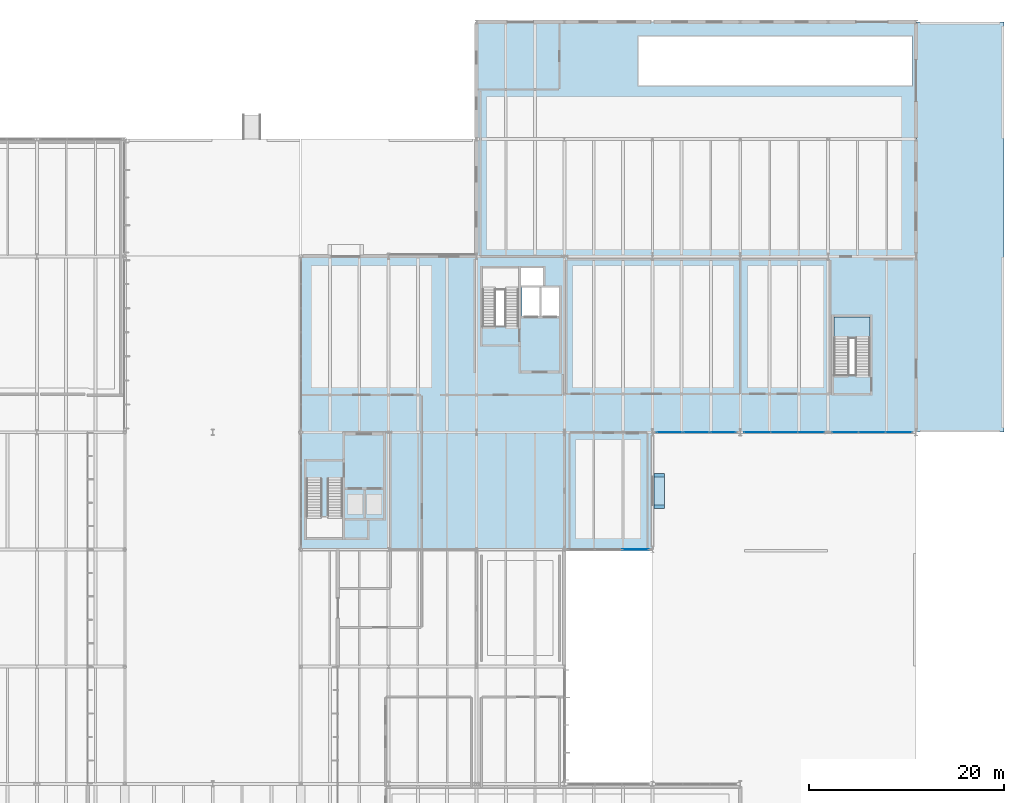
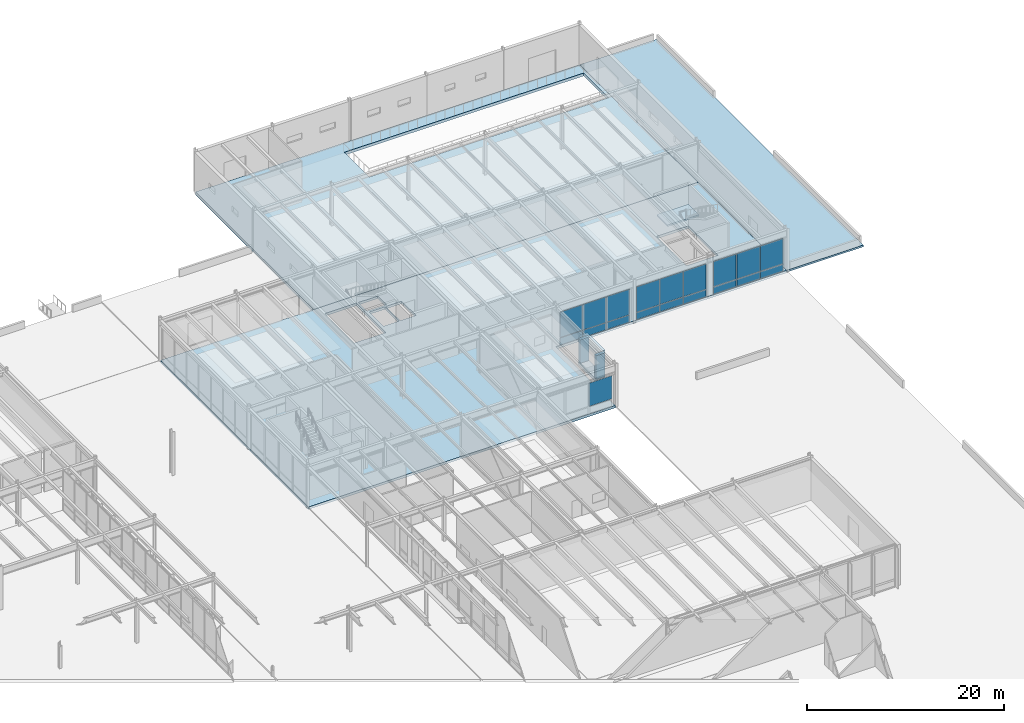
# One storey, part 110 of 143: 23 plates, 4 slabs, 5 elements without a shape of their own.
"""IFC4 building model written with IfcOpenShell, lengths in metres."""

from ifc_helpers import new_model, si_unit, direction, frame, origin, origin_2d, place, context, subcontext, project, spatial, polyline, rectangle, outline, extrude, material, layer, layer_set, type_object, element, aggregate, save


model = new_model("IFC4")

# Units and contexts
model_context = context("Model", 3, precision=1e-05, world=origin(), true_north=direction((0.0, 1.0)))
body_context = subcontext(model_context, "Body", "Model", "MODEL_VIEW")
ifc_project = project(units=[si_unit("LENGTHUNIT", "METRE"), si_unit("AREAUNIT", "SQUARE_METRE"), si_unit("VOLUMEUNIT", "CUBIC_METRE"), si_unit("PLANEANGLEUNIT", "RADIAN"), si_unit("MASSUNIT", "GRAM", prefix="KILO")], contexts=[model_context])

# Site, building, storey
site_placement = place(None, origin())
site = spatial("IfcSite", under=ifc_project, at=site_placement, CompositionType="ELEMENT")
building_placement = place(site_placement, origin())
building = spatial("IfcBuilding", under=site, at=building_placement, Name="Montelvaro Courts of Justice", CompositionType="ELEMENT")
storey_placement = place(building_placement, origin())
storey = spatial("IfcBuildingStorey", under=building, at=storey_placement, Name="L00", CompositionType="ELEMENT", Elevation=0.0)

# Curtain wall, plate
ifc_material_1 = material(Name="Anodised aluminium EN AW-6063", Category="aluminium")
ifc_layer_1 = layer(ifc_material_1, 0.159912109375)
ifc_layer_set_1 = layer_set([ifc_layer_1], Name="Anodised aluminium EN AW-6063")
curtain_wall_type_1 = type_object("IfcCurtainWallType", Name="CurtainWall_05_837x508", PredefinedType="USERDEFINED", material=ifc_layer_set_1)
curtain_wall_1_placement = place(storey_placement, origin())
curtain_wall_1 = element("IfcCurtainWall", 1, at=curtain_wall_1_placement, inside=storey, type_object=curtain_wall_type_1, Name="Curtain Wall CW-05 (L00)", ObjectType="CURTAIN WALL", PredefinedType="USERDEFINED")
ifc_material_2 = material(Name="Low-E solar control double glazing", Category="glass")
ifc_layer_2 = layer(ifc_material_2, 0.028076171875)
ifc_layer_set_2 = layer_set([ifc_layer_2], Name="Low-E solar control double glazing")
plate_type_1 = type_object("IfcPlateType", Name="CurtainWall_Glazed_Panel_28", PredefinedType="CURTAIN_PANEL", material=ifc_layer_set_2)
plate_1_placement = place(storey_placement, frame((133.271240234375, 66.0, 0.97998046875), z_axis=(0.0, 0.0, 1.0), x_axis=(1.0, 0.0, 0.0)))
plate_1 = element("IfcPlate", 2, at=plate_1_placement, type_object=plate_type_1, Name="CW-05 panel 3.2", PredefinedType="CURTAIN_PANEL", context=body_context, shape_type="SweptSolid", body=[
    extrude(rectangle(XDim=2.677490234375, YDim=0.028076171875, at=origin_2d()), origin(), (0.0, 0.0, 1.0), 2.864990234375),
])
aggregate(curtain_wall_1, [plate_1])

# Curtain wall, plates
ifc_layer_3 = layer(ifc_material_1, 0.159912109375)
ifc_layer_set_3 = layer_set([ifc_layer_3], Name="Anodised aluminium EN AW-6063")
curtain_wall_type_2 = type_object("IfcCurtainWallType", Name="CurtainWall_01_827x508", PredefinedType="USERDEFINED", material=ifc_layer_set_3)
curtain_wall_2_placement = place(storey_placement, origin())
curtain_wall_2 = element("IfcCurtainWall", 3, at=curtain_wall_2_placement, inside=storey, type_object=curtain_wall_type_2, Name="Curtain Wall CW-01 (L00)", ObjectType="CURTAIN WALL", PredefinedType="USERDEFINED")
plate_2_placement = place(storey_placement, frame((136.761962890625, 78.0, 0.06005859375), z_axis=(0.0, 0.0, 1.0), x_axis=(1.0, 0.0, 0.0)))
plate_2 = element("IfcPlate", 4, at=plate_2_placement, type_object=plate_type_1, Name="CW-01 panel 1.1", PredefinedType="CURTAIN_PANEL", context=body_context, shape_type="SweptSolid", body=[
    extrude(rectangle(XDim=2.644287109375, YDim=0.028076171875, at=origin_2d()), origin(), (0.0, 0.0, 1.0), 0.860107421875),
])
plate_3_placement = place(storey_placement, frame((136.761962890625, 78.0, 0.97998046875), z_axis=(0.0, 0.0, 1.0), x_axis=(1.0, 0.0, 0.0)))
plate_3 = element("IfcPlate", 5, at=plate_3_placement, type_object=plate_type_1, Name="CW-01 panel 1.2", PredefinedType="CURTAIN_PANEL", context=body_context, shape_type="SweptSolid", body=[
    extrude(rectangle(XDim=2.644287109375, YDim=0.028076171875, at=origin_2d()), origin(), (0.0, 0.0, 1.0), 3.14501953125),
])
plate_4_placement = place(storey_placement, frame((139.5, 78.0, 0.06005859375), z_axis=(0.0, 0.0, 1.0), x_axis=(1.0, 0.0, 0.0)))
plate_4 = element("IfcPlate", 6, at=plate_4_placement, type_object=plate_type_1, Name="CW-01 panel 2.1", PredefinedType="CURTAIN_PANEL", context=body_context, shape_type="SweptSolid", body=[
    extrude(rectangle(XDim=2.681640625, YDim=0.028076171875, at=origin_2d()), origin(), (0.0, 0.0, 1.0), 0.860107421875),
])
plate_5_placement = place(storey_placement, frame((139.5, 78.0, 0.97998046875), z_axis=(0.0, 0.0, 1.0), x_axis=(1.0, 0.0, 0.0)))
plate_5 = element("IfcPlate", 7, at=plate_5_placement, type_object=plate_type_1, Name="CW-01 panel 2.2", PredefinedType="CURTAIN_PANEL", context=body_context, shape_type="SweptSolid", body=[
    extrude(rectangle(XDim=2.681640625, YDim=0.028076171875, at=origin_2d()), origin(), (0.0, 0.0, 1.0), 3.14501953125),
])
plate_6_placement = place(storey_placement, frame((142.238037109375, 78.0, 0.06005859375), z_axis=(0.0, 0.0, 1.0), x_axis=(1.0, 0.0, 0.0)))
plate_6 = element("IfcPlate", 8, at=plate_6_placement, type_object=plate_type_1, Name="CW-01 panel 3.1", PredefinedType="CURTAIN_PANEL", context=body_context, shape_type="SweptSolid", body=[
    extrude(rectangle(XDim=2.644287109375, YDim=0.028076171875, at=origin_2d()), origin(), (0.0, 0.0, 1.0), 0.860107421875),
])
plate_7_placement = place(storey_placement, frame((142.238037109375, 78.0, 0.97998046875), z_axis=(0.0, 0.0, 1.0), x_axis=(1.0, 0.0, 0.0)))
plate_7 = element("IfcPlate", 9, at=plate_7_placement, type_object=plate_type_1, Name="CW-01 panel 3.2", PredefinedType="CURTAIN_PANEL", context=body_context, shape_type="SweptSolid", body=[
    extrude(rectangle(XDim=2.644287109375, YDim=0.028076171875, at=origin_2d()), origin(), (0.0, 0.0, 1.0), 3.14501953125),
])
aggregate(curtain_wall_2, [plate_2, plate_3, plate_4, plate_5, plate_6, plate_7])

curtain_wall_3_placement = place(storey_placement, origin())
curtain_wall_3 = element("IfcCurtainWall", 10, at=curtain_wall_3_placement, inside=storey, type_object=curtain_wall_type_2, Name="Curtain Wall CW-01 (L00)", ObjectType="CURTAIN WALL", PredefinedType="USERDEFINED")
plate_8_placement = place(storey_placement, frame((145.75830078125, 78.0, 0.074951171875), z_axis=(0.0, 0.0, 1.0), x_axis=(1.0, 0.0, 0.0)))
plate_8 = element("IfcPlate", 11, at=plate_8_placement, type_object=plate_type_1, Name="CW-01 panel 1.1", PredefinedType="CURTAIN_PANEL", context=body_context, shape_type="SweptSolid", body=[
    extrude(rectangle(XDim=2.666748046875, YDim=0.028076171875, at=origin_2d()), origin(), (0.0, 0.0, 1.0), 0.83740234375),
])
plate_9_placement = place(storey_placement, frame((145.75830078125, 78.0, 0.987548828125), z_axis=(0.0, 0.0, 1.0), x_axis=(1.0, 0.0, 0.0)))
plate_9 = element("IfcPlate", 12, at=plate_9_placement, type_object=plate_type_1, Name="CW-01 panel 1.2", PredefinedType="CURTAIN_PANEL", context=body_context, shape_type="SweptSolid", body=[
    extrude(rectangle(XDim=2.666748046875, YDim=0.028076171875, at=origin_2d()), origin(), (0.0, 0.0, 1.0), 3.12255859375),
])
plate_10_placement = place(storey_placement, frame((148.5, 78.0, 0.074951171875), z_axis=(0.0, 0.0, 1.0), x_axis=(1.0, 0.0, 0.0)))
plate_10 = element("IfcPlate", 13, at=plate_10_placement, type_object=plate_type_1, Name="CW-01 panel 2.1", PredefinedType="CURTAIN_PANEL", context=body_context, shape_type="SweptSolid", body=[
    extrude(rectangle(XDim=2.69677734375, YDim=0.028076171875, at=origin_2d()), origin(), (0.0, 0.0, 1.0), 0.83740234375),
])
plate_11_placement = place(storey_placement, frame((148.5, 78.0, 0.987548828125), z_axis=(0.0, 0.0, 1.0), x_axis=(1.0, 0.0, 0.0)))
plate_11 = element("IfcPlate", 14, at=plate_11_placement, type_object=plate_type_1, Name="CW-01 panel 2.2", PredefinedType="CURTAIN_PANEL", context=body_context, shape_type="SweptSolid", body=[
    extrude(rectangle(XDim=2.69677734375, YDim=0.028076171875, at=origin_2d()), origin(), (0.0, 0.0, 1.0), 3.12255859375),
])
plate_12_placement = place(storey_placement, frame((151.24169921875, 78.0, 0.074951171875), z_axis=(0.0, 0.0, 1.0), x_axis=(1.0, 0.0, 0.0)))
plate_12 = element("IfcPlate", 15, at=plate_12_placement, type_object=plate_type_1, Name="CW-01 panel 3.1", PredefinedType="CURTAIN_PANEL", context=body_context, shape_type="SweptSolid", body=[
    extrude(rectangle(XDim=2.666748046875, YDim=0.028076171875, at=origin_2d()), origin(), (0.0, 0.0, 1.0), 0.83740234375),
])
plate_13_placement = place(storey_placement, frame((151.24169921875, 78.0, 0.987548828125), z_axis=(0.0, 0.0, 1.0), x_axis=(1.0, 0.0, 0.0)))
plate_13 = element("IfcPlate", 16, at=plate_13_placement, type_object=plate_type_1, Name="CW-01 panel 3.2", PredefinedType="CURTAIN_PANEL", context=body_context, shape_type="SweptSolid", body=[
    extrude(rectangle(XDim=2.666748046875, YDim=0.028076171875, at=origin_2d()), origin(), (0.0, 0.0, 1.0), 3.12255859375),
])
aggregate(curtain_wall_3, [plate_8, plate_9, plate_10, plate_11, plate_12, plate_13])

curtain_wall_4_placement = place(storey_placement, origin())
curtain_wall_4 = element("IfcCurtainWall", 17, at=curtain_wall_4_placement, inside=storey, type_object=curtain_wall_type_2, Name="Curtain Wall CW-01 (L00)", ObjectType="CURTAIN WALL", PredefinedType="USERDEFINED")
plate_14_placement = place(storey_placement, frame((154.75830078125, 78.0, 0.074951171875), z_axis=(0.0, 0.0, 1.0), x_axis=(1.0, 0.0, 0.0)))
plate_14 = element("IfcPlate", 18, at=plate_14_placement, type_object=plate_type_1, Name="CW-01 panel 1.1", PredefinedType="CURTAIN_PANEL", context=body_context, shape_type="SweptSolid", body=[
    extrude(rectangle(XDim=2.666748046875, YDim=0.028076171875, at=origin_2d()), origin(), (0.0, 0.0, 1.0), 0.83740234375),
])
plate_15_placement = place(storey_placement, frame((154.75830078125, 78.0, 0.987548828125), z_axis=(0.0, 0.0, 1.0), x_axis=(1.0, 0.0, 0.0)))
plate_15 = element("IfcPlate", 19, at=plate_15_placement, type_object=plate_type_1, Name="CW-01 panel 1.2", PredefinedType="CURTAIN_PANEL", context=body_context, shape_type="SweptSolid", body=[
    extrude(rectangle(XDim=2.666748046875, YDim=0.028076171875, at=origin_2d()), origin(), (0.0, 0.0, 1.0), 3.12255859375),
])
plate_16_placement = place(storey_placement, frame((157.5, 78.0, 0.074951171875), z_axis=(0.0, 0.0, 1.0), x_axis=(1.0, 0.0, 0.0)))
plate_16 = element("IfcPlate", 20, at=plate_16_placement, type_object=plate_type_1, Name="CW-01 panel 2.1", PredefinedType="CURTAIN_PANEL", context=body_context, shape_type="SweptSolid", body=[
    extrude(rectangle(XDim=2.69677734375, YDim=0.028076171875, at=origin_2d()), origin(), (0.0, 0.0, 1.0), 0.83740234375),
])
plate_17_placement = place(storey_placement, frame((157.5, 78.0, 0.987548828125), z_axis=(0.0, 0.0, 1.0), x_axis=(1.0, 0.0, 0.0)))
plate_17 = element("IfcPlate", 21, at=plate_17_placement, type_object=plate_type_1, Name="CW-01 panel 2.2", PredefinedType="CURTAIN_PANEL", context=body_context, shape_type="SweptSolid", body=[
    extrude(rectangle(XDim=2.69677734375, YDim=0.028076171875, at=origin_2d()), origin(), (0.0, 0.0, 1.0), 3.12255859375),
])
plate_18_placement = place(storey_placement, frame((160.24169921875, 78.0, 0.074951171875), z_axis=(0.0, 0.0, 1.0), x_axis=(1.0, 0.0, 0.0)))
plate_18 = element("IfcPlate", 22, at=plate_18_placement, type_object=plate_type_1, Name="CW-01 panel 3.1", PredefinedType="CURTAIN_PANEL", context=body_context, shape_type="SweptSolid", body=[
    extrude(rectangle(XDim=2.666748046875, YDim=0.028076171875, at=origin_2d()), origin(), (0.0, 0.0, 1.0), 0.83740234375),
])
plate_19_placement = place(storey_placement, frame((160.24169921875, 78.0, 0.987548828125), z_axis=(0.0, 0.0, 1.0), x_axis=(1.0, 0.0, 0.0)))
plate_19 = element("IfcPlate", 23, at=plate_19_placement, type_object=plate_type_1, Name="CW-01 panel 3.2", PredefinedType="CURTAIN_PANEL", context=body_context, shape_type="SweptSolid", body=[
    extrude(rectangle(XDim=2.666748046875, YDim=0.028076171875, at=origin_2d()), origin(), (0.0, 0.0, 1.0), 3.12255859375),
])
aggregate(curtain_wall_4, [plate_14, plate_15, plate_16, plate_17, plate_18, plate_19])

# Slabs
ifc_material_3 = material(Name="Concrete C35/45", Category="concrete")
ifc_layer_4 = layer(ifc_material_3, 0.300048828125)
ifc_layer_set_4 = layer_set([ifc_layer_4], Name="Concrete C35/45")
slab_type_1 = type_object("IfcSlabType", Name="FloorSlab_300", PredefinedType="FLOOR", material=ifc_layer_set_4)
slab_1_placement = place(storey_placement, frame((0.0, 0.0, -0.300048828125)))
element("IfcSlab", 24, at=slab_1_placement, inside=storey, type_object=slab_type_1, Name="Structural Slab SF-02 L00", PredefinedType="FLOOR", context=body_context, shape_type="SweptSolid", body=[
    extrude(outline(polyline([(99.050048828125, 66.0), (135.0, 66.0), (135.0, 78.0), (162.0, 78.0), (162.0, 96.0), (99.050048828125, 96.0), (99.050048828125, 66.0)]), holes=[polyline([(117.60009765625, 88.800048828125), (121.300048828125, 88.800048828125), (121.300048828125, 94.800048828125), (117.60009765625, 94.800048828125), (117.60009765625, 88.800048828125)]), polyline([(121.5400390625, 93.0400390625), (123.800048828125, 93.0400390625), (123.800048828125, 94.800048828125), (121.5400390625, 94.800048828125), (121.5400390625, 93.0400390625)]), polyline([(121.64990234375, 89.89990234375), (123.5, 89.89990234375), (123.5, 92.800048828125), (121.64990234375, 92.800048828125), (121.64990234375, 89.89990234375)]), polyline([(123.60009765625, 89.89990234375), (125.449951171875, 89.89990234375), (125.449951171875, 92.800048828125), (123.60009765625, 92.800048828125), (123.60009765625, 89.89990234375)]), polyline([(153.60009765625, 83.800048828125), (157.300048828125, 83.800048828125), (157.300048828125, 89.800048828125), (153.60009765625, 89.800048828125), (153.60009765625, 83.800048828125)])]), origin(), (0.0, 0.0, 1.0), 0.300048828125),
])
ifc_layer_5 = layer(ifc_material_3, 0.360107421875)
ifc_layer_set_5 = layer_set([ifc_layer_5], Name="Concrete C35/45")
slab_type_2 = type_object("IfcSlabType", Name="FloorSlab_360", PredefinedType="FLOOR", material=ifc_layer_set_5)
slab_2_placement = place(storey_placement, frame((0.0, 0.0, -0.360107421875)))
element("IfcSlab", 25, at=slab_2_placement, inside=storey, type_object=slab_type_2, Name="Structural Slab SF-06 L00", PredefinedType="FLOOR", context=body_context, shape_type="SweptSolid", body=[
    extrude(outline(polyline([(117.0, 96.0), (162.0, 96.0), (162.0, 120.0), (117.0, 120.0), (117.0, 96.0)]), holes=[polyline([(133.580078125, 113.47998046875), (161.6201171875, 113.47998046875), (161.6201171875, 118.52001953125), (133.580078125, 118.52001953125), (133.580078125, 113.47998046875)])]), origin(), (0.0, 0.0, 1.0), 0.360107421875),
])
ifc_layer_6 = layer(ifc_material_3, 0.219970703125)
ifc_layer_set_6 = layer_set([ifc_layer_6], Name="Concrete C35/45")
slab_type_3 = type_object("IfcSlabType", Name="PavingSlab_220", PredefinedType="USERDEFINED", material=ifc_layer_set_6)
slab_3_placement = place(storey_placement, frame((0.0, 0.0, -0.219970703125)))
element("IfcSlab", 26, at=slab_3_placement, inside=storey, type_object=slab_type_3, Name="Exterior Civic Paving SP-02", ObjectType="PAVING", PredefinedType="USERDEFINED", context=body_context, shape_type="SweptSolid", body=[
    extrude(outline(polyline([(171.0, 120.0), (171.0, 78.0), (162.02001953125, 78.0), (162.02001953125, 120.0), (171.0, 120.0)])), origin(), (0.0, 0.0, 1.0), 0.219970703125),
])

# Plates
ifc_material_4 = material(Name="White mineral precast concrete C45/55", Category="concrete")
ifc_layer_7 = layer(ifc_material_4, 0.35009765625)
ifc_layer_set_7 = layer_set([ifc_layer_7], Name="White mineral precast concrete C45/55")
plate_type_2 = type_object("IfcPlateType", Name="PrecastSquareFrame_350x1050", PredefinedType="SHEET", material=ifc_layer_set_7)
for number, where, z_axis, x_axis, name in (
    (27, (135.695068359375, 71.97607421875, 3.550048828125), (0.0, 0.0, 1.0), (0.0, 1.0, 0.0), "Graduated Square Window Frame PF-01 W-L00-001 TOP"),
    (28, (135.695068359375, 71.97607421875, 0.300048828125), (0.0, 0.0, 1.0), (0.0, 1.0, 0.0), "Graduated Square Window Frame PF-01 W-L00-001 BOT"),
):
    element("IfcPlate", number, at=place(storey_placement, frame(where, z_axis=z_axis, x_axis=x_axis)), inside=storey, type_object=plate_type_2, Name=name, PredefinedType="SHEET", context=body_context, shape_type="SweptSolid", body=[
        extrude(rectangle(XDim=3.60009765625, YDim=1.06005859375, at=origin_2d()), origin(), (0.0, 0.0, 1.0), 0.35009765625),
    ])
for number, where, z_axis, x_axis, name in (
    (29, (135.695068359375, 70.35107421875, 0.650146484375), (0.0, 0.0, 1.0), (0.0, 1.0, 0.0), "Graduated Square Window Frame PF-01 W-L00-001 L"),
    (30, (135.695068359375, 73.60107421875, 0.650146484375), (0.0, 0.0, 1.0), (0.0, 1.0, 0.0), "Graduated Square Window Frame PF-01 W-L00-001 R"),
):
    element("IfcPlate", number, at=place(storey_placement, frame(where, z_axis=z_axis, x_axis=x_axis)), inside=storey, type_object=plate_type_2, Name=name, PredefinedType="SHEET", context=body_context, shape_type="SweptSolid", body=[
        extrude(rectangle(XDim=0.35009765625, YDim=1.06005859375, at=origin_2d()), origin(), (0.0, 0.0, 1.0), 2.89990234375),
    ])

# Stair, slab
stair_type = type_object("IfcStairType", Name="ProtectedStair_150", PredefinedType="HALF_TURN_STAIR", material=ifc_material_3)
stair_placement = place(storey_placement, origin())
stair = element("IfcStair", 31, at=stair_placement, inside=storey, type_object=stair_type, Name="Protected Stair ST-V2-L00", PredefinedType="HALF_TURN_STAIR")
ifc_layer_8 = layer(ifc_material_3, 0.199951171875)
ifc_layer_set_8 = layer_set([ifc_layer_8], Name="Concrete C35/45")
slab_type_4 = type_object("IfcSlabType", Name="StairLanding_200", PredefinedType="LANDING", material=ifc_layer_set_8)
slab_4_placement = place(storey_placement, frame((0.0, 0.0, 2.5)))
slab_4 = element("IfcSlab", 32, at=slab_4_placement, type_object=slab_type_4, Name="ST-V2-L00 landing 1", PredefinedType="LANDING", context=body_context, shape_type="SweptSolid", body=[
    extrude(outline(polyline([(153.60009765625, 87.635009765625), (157.300048828125, 87.635009765625), (157.300048828125, 89.800048828125), (153.60009765625, 89.800048828125), (153.60009765625, 87.635009765625)])), origin(), (0.0, 0.0, 1.0), 0.199951171875),
])
aggregate(stair, [slab_4])

save(model, "model.ifc")
